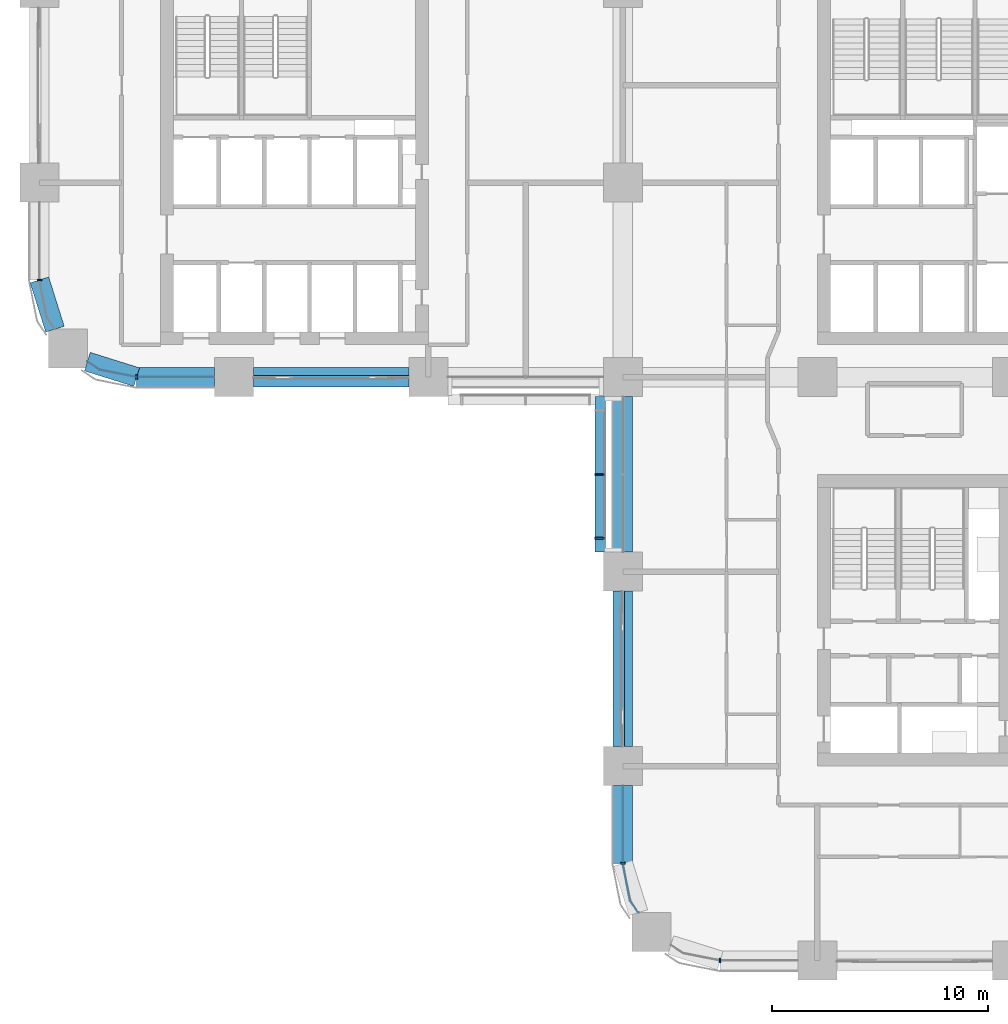
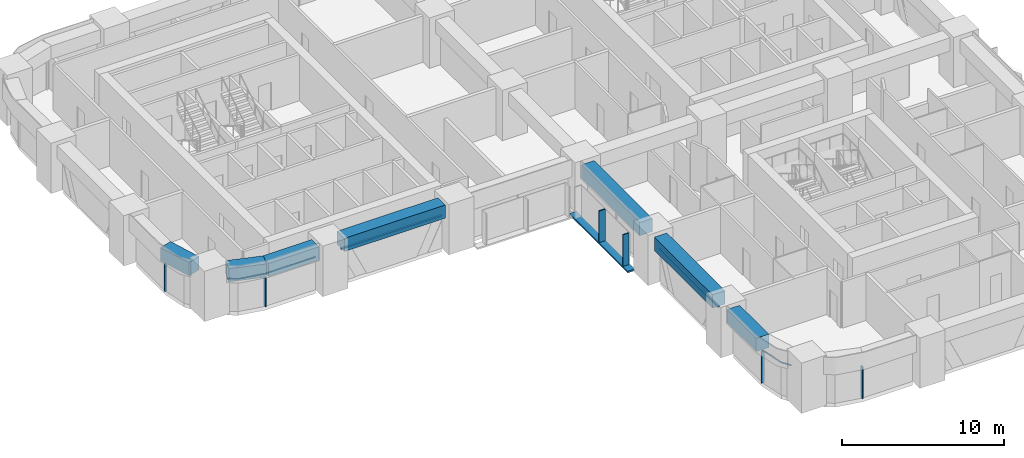
# One storey, part 2 of 18: 10 members, 8 beams, 6 elements without a shape of their own.
"""IFC4 building model written with IfcOpenShell, lengths in metres."""

import ifcopenshell
import ifcopenshell.guid

model = None  # the IFC model being written
_history = None  # IfcOwnerHistory: only IFC2X3 demands one
_inside = {}  # id of a spatial element -> (the spatial element, [elements in it])
_under = {}  # id of a project, library or spatial element -> (it, [spatial elements below it])
_declared = {}  # id of a project -> (the project, [libraries it declares])
_typed = {}  # id of a type object -> (the type object, [elements of that type])
_made_of = {}  # id of a material, layer set ... -> (it, [elements and type objects made of it])


def new_model(schema):
    """Start an empty IFC model of exactly this schema.

    Asked for "IFC4X3", IfcOpenShell would pick the latest addendum, in which some entities
    have other attributes; the version numbers below select the first issue.
    IFC2X3 requires an IfcOwnerHistory on every rooted entity: one is made here for all.
    """
    global model, _history
    if schema == "IFC4X3":
        model = ifcopenshell.file(schema_version=(4, 3, 0, 0))
    else:
        model = ifcopenshell.file(schema=schema)
    _inside.clear()
    _under.clear()
    _declared.clear()
    _typed.clear()
    _made_of.clear()
    _history = None
    if model.schema == "IFC2X3":
        org = make("IfcOrganization", Name="unknown")
        user = make(
            "IfcPersonAndOrganization",
            ThePerson=make("IfcPerson", FamilyName="unknown"),
            TheOrganization=org,
        )
        app = make(
            "IfcApplication",
            ApplicationDeveloper=org,
            Version="unknown",
            ApplicationFullName="unknown",
            ApplicationIdentifier="unknown",
        )
        _history = make(
            "IfcOwnerHistory",
            OwningUser=user,
            OwningApplication=app,
            ChangeAction="ADDED",
            CreationDate=0,
        )
    return model


def make(cls, **values):
    """One entity of the class cls with the attributes given. An attribute that is None is left unset."""
    return model.create_entity(
        cls, **{name: value for name, value in values.items() if value is not None}
    )


def rooted(cls, **values):
    """An entity with a GlobalId (a new one), such as an element, a storey or a relation."""
    return make(cls, GlobalId=ifcopenshell.guid.new(), OwnerHistory=_history, **values)


def si_unit(unit_type, name, prefix=None):
    """IfcSIUnit, for example si_unit("LENGTHUNIT", "METRE", prefix="MILLI")."""
    return make("IfcSIUnit", UnitType=unit_type, Prefix=prefix, Name=name)


def assignment(units):
    """IfcUnitAssignment: the units of a project."""
    return None if units is None else make("IfcUnitAssignment", Units=units)


def point(xyz):
    """IfcCartesianPoint."""
    return None if xyz is None else make("IfcCartesianPoint", Coordinates=xyz)


def direction(xyz):
    """IfcDirection."""
    return None if xyz is None else make("IfcDirection", DirectionRatios=xyz)


def frame(location, z_axis=None, x_axis=None):
    """IfcAxis2Placement3D, a coordinate frame: its origin and axes. An axis left out is left unset."""
    return make(
        "IfcAxis2Placement3D",
        Location=point(location),
        Axis=direction(z_axis),
        RefDirection=direction(x_axis),
    )


def frame_2d(location, x_axis=None):
    """IfcAxis2Placement2D, a coordinate frame in the plane: its origin and x axis."""
    return make(
        "IfcAxis2Placement2D", Location=point(location), RefDirection=direction(x_axis)
    )


def origin():
    """The frame at (0, 0, 0) with its axes left unset."""
    return frame((0.0, 0.0, 0.0))


def origin_2d():
    """The frame at (0, 0) in the plane with its x axis left unset."""
    return frame_2d((0.0, 0.0))


def place(relative_to, where):
    """IfcLocalPlacement: puts the frame where relative to a parent placement (None: the world)."""
    return make(
        "IfcLocalPlacement", PlacementRelTo=relative_to, RelativePlacement=where
    )


def context(
    kind, dimensions, precision=None, world=None, true_north=None, identifier=None
):
    """IfcGeometricRepresentationContext, for example the 3D "Model" context."""
    return make(
        "IfcGeometricRepresentationContext",
        ContextIdentifier=identifier,
        ContextType=kind,
        CoordinateSpaceDimension=dimensions,
        Precision=precision,
        WorldCoordinateSystem=world,
        TrueNorth=true_north,
    )


def subcontext(parent, identifier, kind, view, scale=None):
    """IfcGeometricRepresentationSubContext, for example "Body" below "Model"."""
    return make(
        "IfcGeometricRepresentationSubContext",
        ContextIdentifier=identifier,
        ContextType=kind,
        ParentContext=parent,
        TargetScale=scale,
        TargetView=view,
    )


def project(units=None, contexts=None):
    """IfcProject with its units and contexts."""
    return rooted(
        "IfcProject",
        Name="project",
        RepresentationContexts=contexts,
        UnitsInContext=assignment(units),
    )


def spatial(cls, under=None, at=None, **own):
    """A site, building, storey or space (cls), placed at a placement, below another one or the project."""
    s = rooted(cls, ObjectPlacement=at, **own)
    if under is not None:
        _under.setdefault(under.id(), (under, []))[1].append(s)
    return s


def polyline(points):
    """IfcPolyline through the points."""
    return make("IfcPolyline", Points=[point(p) for p in points])


def profile(cls, at=None, kind="AREA", **sizes):
    """A parametric profile (cls). Its sizes go by their IFC names, for example OverallWidth=200.0."""
    return make(cls, ProfileType=kind, Position=at, **sizes)


def rectangle(**sizes):
    """IfcRectangleProfileDef."""
    return profile("IfcRectangleProfileDef", **sizes)


def outline(outer, holes=None, kind="AREA"):
    """IfcArbitraryClosedProfileDef: a profile drawn as a closed curve; with holes, ...WithVoids."""
    if holes is None:
        return make("IfcArbitraryClosedProfileDef", ProfileType=kind, OuterCurve=outer)
    return make(
        "IfcArbitraryProfileDefWithVoids",
        ProfileType=kind,
        OuterCurve=outer,
        InnerCurves=holes,
    )


def extrude(swept, where, along, depth):
    """IfcExtrudedAreaSolid: the profile swept, set in the frame where, extruded along a direction by depth."""
    return make(
        "IfcExtrudedAreaSolid",
        SweptArea=swept,
        Position=where,
        ExtrudedDirection=direction(along),
        Depth=depth,
    )


def shape(context_of_items, identifier, shape_type, items):
    """IfcShapeRepresentation: the items that make up one representation, for example the "Body"."""
    return make(
        "IfcShapeRepresentation",
        ContextOfItems=context_of_items,
        RepresentationIdentifier=identifier,
        RepresentationType=shape_type,
        Items=items,
    )


def material(Name=None, Category=None):
    """IfcMaterial."""
    return make("IfcMaterial", Name=Name, Category=Category)


def material_profile(
    of_material, cross_section, Name=None, Category=None, Priority=None
):
    """IfcMaterialProfile: a cross section and its material."""
    return make(
        "IfcMaterialProfile",
        Name=Name,
        Material=of_material,
        Profile=cross_section,
        Priority=Priority,
        Category=Category,
    )


def profile_set(profiles, Name=None, composite=None):
    """IfcMaterialProfileSet."""
    return make(
        "IfcMaterialProfileSet",
        Name=Name,
        MaterialProfiles=profiles,
        CompositeProfile=composite,
    )


def made_of(thing, what):
    """Note that an element or type object is made of a material, layer set ...; save() writes the relation."""
    if what is not None:
        _made_of.setdefault(what.id(), (what, []))[1].append(thing)
    return thing


def type_object(cls, material=None, **own):
    """A type object (cls), such as IfcWallType, which elements share."""
    return made_of(rooted(cls, **own), material)


def element(
    cls,
    number,
    at=None,
    inside=None,
    cuts=None,
    type_object=None,
    material=None,
    context=None,
    identifier="Body",
    shape_type=None,
    held_by="IfcProductDefinitionShape",
    body=None,
    shapes=None,
    **own,
):
    """One element of the class cls, such as IfcWall. Its Tag is "e" and its number.

    at: its placement. inside: the storey or other place that contains it. cuts: it is an
    opening in that element (IfcRelVoidsElement). A single representation is given by context,
    identifier, shape_type and body (its items); several are given by shapes. held_by: the class
    of the entity that holds the representations. save() writes the other relations.
    """
    e = rooted(cls, Tag="e%d" % number, ObjectPlacement=at, **own)
    if body is not None:
        shapes = [shape(context, identifier, shape_type, body)]
    if shapes is not None:
        e.Representation = make(held_by, Representations=shapes)
    if inside is not None:
        _inside.setdefault(inside.id(), (inside, []))[1].append(e)
    if cuts is not None:
        rooted(
            "IfcRelVoidsElement", RelatingBuildingElement=cuts, RelatedOpeningElement=e
        )
    if type_object is not None:
        _typed.setdefault(type_object.id(), (type_object, []))[1].append(e)
    return made_of(e, material)


def aggregate(whole, parts):
    """IfcRelAggregates: a whole, such as a stair, and the parts it consists of."""
    return rooted("IfcRelAggregates", RelatingObject=whole, RelatedObjects=parts)


def save(model, path):
    """Write the relations noted so far, then the file.

    IfcRelAggregates (storeys below a building ...), IfcRelContainedInSpatialStructure (elements
    in a storey), IfcRelDefinesByType, IfcRelAssociatesMaterial and IfcRelDeclares: one each for
    every whole, place, type object, material and project.
    """
    for whole, parts in _under.values():
        aggregate(whole, parts)
    for where, things in _inside.values():
        rooted(
            "IfcRelContainedInSpatialStructure",
            RelatedElements=things,
            RelatingStructure=where,
        )
    for kind, things in _typed.values():
        rooted("IfcRelDefinesByType", RelatedObjects=things, RelatingType=kind)
    for what, things in _made_of.values():
        rooted("IfcRelAssociatesMaterial", RelatedObjects=things, RelatingMaterial=what)
    for by, libraries in _declared.values():
        rooted("IfcRelDeclares", RelatingContext=by, RelatedDefinitions=libraries)
    model.write(path)


model = new_model("IFC4")

# Units and contexts
model_context = context("Model", 3, precision=1e-05, world=origin(), true_north=direction((0.0, 1.0)))
body_context = subcontext(model_context, "Body", "Model", "MODEL_VIEW")
ifc_project = project(units=[si_unit("LENGTHUNIT", "METRE"), si_unit("AREAUNIT", "SQUARE_METRE"), si_unit("VOLUMEUNIT", "CUBIC_METRE"), si_unit("PLANEANGLEUNIT", "RADIAN"), si_unit("MASSUNIT", "GRAM", prefix="KILO")], contexts=[model_context])

# Site, building, storey
site_placement = place(None, origin())
site = spatial("IfcSite", under=ifc_project, at=site_placement, CompositionType="ELEMENT")
building_placement = place(site_placement, origin())
building = spatial("IfcBuilding", under=site, at=building_placement, Name="Tessera Arch", CompositionType="ELEMENT")
storey_placement = place(building_placement, frame((0.0, 0.0, 104.39990234375)))
storey = spatial("IfcBuildingStorey", under=building, at=storey_placement, Name="L24", CompositionType="ELEMENT", Elevation=104.39990234375)

# Curtain wall, member
ifc_material_1 = material(Name="CW2 curtain wall")
curtain_wall_type_1 = type_object("IfcCurtainWallType", Name="CW2 curtain wall", PredefinedType="NOTDEFINED", material=ifc_material_1)
curtain_wall_1_placement = place(storey_placement, origin())
curtain_wall_1 = element("IfcCurtainWall", 1, at=curtain_wall_1_placement, inside=storey, type_object=curtain_wall_type_1, Name="CW2 curtain wall W0.27/2 L24", PredefinedType="NOTDEFINED")
ifc_material_2 = material(Name="Anodised aluminium pale metal", Category="aluminium")
ifc_material_profile_1 = material_profile(ifc_material_2, rectangle(XDim=0.199951171875, YDim=0.080078125, at=origin_2d()), Name="AL 80x200")
ifc_profile_set_1 = profile_set([ifc_material_profile_1], Name="Anodised aluminium pale metal")
member_type_1 = type_object("IfcMemberType", Name="CW2 mullion", PredefinedType="MULLION", material=ifc_profile_set_1)
member_1_placement = place(storey_placement, frame((0.0, 31.5, 0.0), z_axis=(0.0, 0.0, 1.0), x_axis=(1.0, 0.0, 0.0)))
member_1 = element("IfcMember", 2, at=member_1_placement, type_object=member_type_1, Name="CW2 mullion W0.27/2 1", PredefinedType="MULLION", context=body_context, shape_type="SweptSolid", body=[
    extrude(rectangle(XDim=0.199951171875, YDim=0.080078125, at=origin_2d()), origin(), (0.0, 0.0, 1.0), 2.400146484375),
])
aggregate(curtain_wall_1, [member_1])

curtain_wall_2_placement = place(storey_placement, origin())
curtain_wall_2 = element("IfcCurtainWall", 3, at=curtain_wall_2_placement, inside=storey, type_object=curtain_wall_type_1, Name="CW2 curtain wall S27.0/0 L24", PredefinedType="NOTDEFINED")
member_2_placement = place(storey_placement, frame((4.5, 27.0, 0.0), z_axis=(0.0, 0.0, 1.0), x_axis=(0.0, 1.0, 0.0)))
member_2 = element("IfcMember", 4, at=member_2_placement, type_object=member_type_1, Name="CW2 mullion S27.0/0 1", PredefinedType="MULLION", context=body_context, shape_type="SweptSolid", body=[
    extrude(rectangle(XDim=0.199951171875, YDim=0.080078125, at=origin_2d()), origin(), (0.0, 0.0, 1.0), 2.400146484375),
])

curtain_wall_3_placement = place(storey_placement, origin())
curtain_wall_3 = element("IfcCurtainWall", 5, at=curtain_wall_3_placement, inside=storey, type_object=curtain_wall_type_1, Name="CW2 curtain wall W27.0/2 L24", PredefinedType="NOTDEFINED")
member_3_placement = place(storey_placement, frame((27.0, 4.5, 0.0), z_axis=(0.0, 0.0, 1.0), x_axis=(1.0, 0.0, 0.0)))
member_3 = element("IfcMember", 6, at=member_3_placement, type_object=member_type_1, Name="CW2 mullion W27.0/2 1", PredefinedType="MULLION", context=body_context, shape_type="SweptSolid", body=[
    extrude(rectangle(XDim=0.199951171875, YDim=0.080078125, at=origin_2d()), origin(), (0.0, 0.0, 1.0), 2.400146484375),
])

curtain_wall_4_placement = place(storey_placement, origin())
curtain_wall_4 = element("IfcCurtainWall", 7, at=curtain_wall_4_placement, inside=storey, type_object=curtain_wall_type_1, Name="CW2 curtain wall S0.27/0 L24", PredefinedType="NOTDEFINED")
member_4_placement = place(storey_placement, frame((31.5, 0.0, 0.0), z_axis=(0.0, 0.0, 1.0), x_axis=(0.0, 1.0, 0.0)))
member_4 = element("IfcMember", 8, at=member_4_placement, type_object=member_type_1, Name="CW2 mullion S0.27/0 1", PredefinedType="MULLION", context=body_context, shape_type="SweptSolid", body=[
    extrude(rectangle(XDim=0.199951171875, YDim=0.080078125, at=origin_2d()), origin(), (0.0, 0.0, 1.0), 2.400146484375),
])
aggregate(curtain_wall_4, [member_4])

# Member
ifc_material_3 = material(Name="Anodised aluminium pale metal", Category="aluminium")
ifc_material_profile_2 = material_profile(ifc_material_3, rectangle(XDim=0.199951171875, YDim=0.10009765625, at=origin_2d()), Name="AL 200x100")
ifc_profile_set_2 = profile_set([ifc_material_profile_2], Name="Anodised aluminium pale metal")
member_type_2 = type_object("IfcMemberType", Name="CW2 transom", PredefinedType="USERDEFINED", material=ifc_profile_set_2)
member_5_placement = place(storey_placement, frame((0.0, 0.0, 2.400146484375)))
member_5 = element("IfcMember", 9, at=member_5_placement, type_object=member_type_2, Name="CW2 transom S27.0/0 1", ObjectType="TRANSOM", PredefinedType="USERDEFINED", context=body_context, shape_type="SweptSolid", body=[
    extrude(outline(polyline([(2.78173828125, 27.351806640625), (2.2236328125, 27.72509765625), (2.21240234375, 27.70849609375), (2.77392578125, 27.3330078125), (4.4990234375, 26.989990234375), (8.10009765625, 26.989990234375), (8.10009765625, 27.010009765625), (4.5009765625, 27.010009765625), (2.78173828125, 27.351806640625)])), origin(), (0.0, 0.0, 1.0), 0.099853515625),
])

aggregate(curtain_wall_2, [member_2, member_5])

member_6_placement = place(storey_placement, frame((0.0, 0.0, 2.400146484375)))
member_6 = element("IfcMember", 10, at=member_6_placement, type_object=member_type_2, Name="CW2 transom W27.0/2 1", ObjectType="TRANSOM", PredefinedType="USERDEFINED", context=body_context, shape_type="SweptSolid", body=[
    extrude(outline(polyline([(27.010009765625, 4.5009765625), (27.010009765625, 8.10009765625), (26.989990234375, 8.10009765625), (26.989990234375, 4.4990234375), (27.3330078125, 2.77392578125), (27.70849609375, 2.21240234375), (27.72509765625, 2.2236328125), (27.351806640625, 2.78173828125), (27.010009765625, 4.5009765625)])), origin(), (0.0, 0.0, 1.0), 0.099853515625),
])

aggregate(curtain_wall_3, [member_3, member_6])

# Curtain wall, member
ifc_material_4 = material(Name="CW3 curtain wall")
curtain_wall_type_2 = type_object("IfcCurtainWallType", Name="CW3 curtain wall", PredefinedType="NOTDEFINED", material=ifc_material_4)
curtain_wall_5_placement = place(storey_placement, origin())
curtain_wall_5 = element("IfcCurtainWall", 11, at=curtain_wall_5_placement, inside=storey, type_object=curtain_wall_type_2, Name="CW3 curtain wall S27.0/1 L24", PredefinedType="NOTDEFINED")
ifc_material_5 = material(Name="Anodised aluminium pale metal", Category="aluminium")
ifc_material_profile_3 = material_profile(ifc_material_5, rectangle(XDim=0.139892578125, YDim=0.10009765625, at=origin_2d()), Name="AL 140x100")
ifc_profile_set_3 = profile_set([ifc_material_profile_3], Name="Anodised aluminium pale metal")
member_type_3 = type_object("IfcMemberType", Name="CW3 transom", PredefinedType="USERDEFINED", material=ifc_profile_set_3)
member_7_placement = place(storey_placement, frame((9.89990234375, 27.0, 2.4501953125), z_axis=(1.0, 0.0, 0.0), x_axis=(0.0, 1.0, 0.0)))
member_7 = element("IfcMember", 12, at=member_7_placement, type_object=member_type_3, Name="CW3 transom S27.0/1 1.1", ObjectType="TRANSOM", PredefinedType="USERDEFINED", context=body_context, shape_type="SweptSolid", body=[
    extrude(rectangle(XDim=0.139892578125, YDim=0.10009765625, at=origin_2d()), origin(), (0.0, 0.0, 1.0), 7.2001953125),
])
aggregate(curtain_wall_5, [member_7])

curtain_wall_6_placement = place(storey_placement, origin())
curtain_wall_6 = element("IfcCurtainWall", 13, at=curtain_wall_6_placement, inside=storey, type_object=curtain_wall_type_2, Name="CW3 curtain wall W27.0/1 L24", PredefinedType="NOTDEFINED")
member_8_placement = place(storey_placement, frame((27.0, 17.10009765625, 2.4501953125), z_axis=(0.0, -1.0, 0.0), x_axis=(1.0, 0.0, 0.0)))
member_8 = element("IfcMember", 14, at=member_8_placement, type_object=member_type_3, Name="CW3 transom W27.0/1 1.1", ObjectType="TRANSOM", PredefinedType="USERDEFINED", context=body_context, shape_type="SweptSolid", body=[
    extrude(rectangle(XDim=0.139892578125, YDim=0.10009765625, at=origin_2d()), origin(), (0.0, 0.0, 1.0), 7.2001953125),
])
aggregate(curtain_wall_6, [member_8])

# Members
ifc_material_6 = material(Name="Anodised aluminium pale metal", Category="aluminium")
ifc_material_profile_4 = material_profile(ifc_material_6, rectangle(XDim=0.449951171875, YDim=0.080078125, at=origin_2d()), Name="AL 80x450")
ifc_profile_set_4 = profile_set([ifc_material_profile_4], Name="Anodised aluminium pale metal")
member_type_4 = type_object("IfcMemberType", Name="Mashrabiya fin", PredefinedType="USERDEFINED", material=ifc_profile_set_4)
for number, where, z_axis, x_axis, name in (
    (15, (25.925048828125, 22.5, 0.1201171875), (0.0, 0.0, 1.0), (-1.0, 0.0, 0.0), "FIN mashrabiya W27.0/0 2"),
    (16, (25.925048828125, 19.5400390625, 0.1201171875), (0.0, 0.0, 1.0), (-1.0, 0.0, 0.0), "FIN mashrabiya W27.0/0 3"),
):
    element("IfcMember", number, at=place(storey_placement, frame(where, z_axis=z_axis, x_axis=x_axis)), inside=storey, type_object=member_type_4, Name=name, ObjectType="FIN", PredefinedType="USERDEFINED", context=body_context, shape_type="SweptSolid", body=[
        extrude(rectangle(XDim=0.449951171875, YDim=0.080078125, at=origin_2d()), origin(), (0.0, 0.0, 1.0), 2.3798828125),
    ])

# Beams
ifc_material_7 = material(Name="Concrete C80/95", Category="concrete")
ifc_material_profile_5 = material_profile(ifc_material_7, rectangle(XDim=0.89990234375, YDim=1.0, at=origin_2d()), Name="RC spandrel beam 900 x 1000 Concrete C80/95")
ifc_profile_set_5 = profile_set([ifc_material_profile_5], Name="Concrete C80/95")
beam_type_1 = type_object("IfcBeamType", Name="RC spandrel beam 900 x 1000 Concrete C80/95", PredefinedType="BEAM", material=ifc_profile_set_5)
for number, where, z_axis, x_axis, name in (
    (17, (0.0, 31.5, 3.0), (0.299675309057, -0.954041251279, 0.0), (0.954041251279, 0.299675309057, 0.0), "Spandrel beam L24 W0.27/2.2"),
    (18, (2.218017578125, 27.716796875, 3.0), (0.954041251279, -0.299675309057, 0.0), (0.299675309057, 0.954041251279, 0.0), "Spandrel beam L24 S27.0/0.1"),
):
    element("IfcBeam", number, at=place(storey_placement, frame(where, z_axis=z_axis, x_axis=x_axis)), inside=storey, type_object=beam_type_1, Name=name, PredefinedType="BEAM", context=body_context, shape_type="SweptSolid", body=[
        extrude(rectangle(XDim=0.89990234375, YDim=1.0, at=origin_2d()), origin(), (0.0, 0.0, 1.0), 2.391845703125),
    ])
beam_1_placement = place(storey_placement, frame((4.5, 27.0, 3.0), z_axis=(1.0, 0.0, 0.0), x_axis=(0.0, 1.0, 0.0)))
element("IfcBeam", 19, at=beam_1_placement, inside=storey, type_object=beam_type_1, Name="Spandrel beam L24 S27.0/0.2", PredefinedType="BEAM", context=body_context, shape_type="SweptSolid", body=[
    extrude(rectangle(XDim=0.89990234375, YDim=1.0, at=origin_2d()), origin(), (0.0, 0.0, 1.0), 3.60009765625),
])
for number, where, z_axis, x_axis, name in (
    (20, (9.89990234375, 27.0, 3.0), (1.0, 0.0, 0.0), (0.0, 1.0, 0.0), "Spandrel beam L24 S27.0/1"),
    (21, (27.0, 26.10009765625, 3.0), (0.0, -1.0, 0.0), (1.0, 0.0, 0.0), "Spandrel beam L24 W27.0/0"),
    (22, (27.0, 17.10009765625, 3.0), (0.0, -1.0, 0.0), (1.0, 0.0, 0.0), "Spandrel beam L24 W27.0/1"),
):
    element("IfcBeam", number, at=place(storey_placement, frame(where, z_axis=z_axis, x_axis=x_axis)), inside=storey, type_object=beam_type_1, Name=name, PredefinedType="BEAM", context=body_context, shape_type="SweptSolid", body=[
        extrude(rectangle(XDim=0.89990234375, YDim=1.0, at=origin_2d()), origin(), (0.0, 0.0, 1.0), 7.2001953125),
    ])
beam_2_placement = place(storey_placement, frame((27.0, 8.10009765625, 3.0), z_axis=(0.0, -1.0, 0.0), x_axis=(1.0, 0.0, 0.0)))
element("IfcBeam", 23, at=beam_2_placement, inside=storey, type_object=beam_type_1, Name="Spandrel beam L24 W27.0/2.1", PredefinedType="BEAM", context=body_context, shape_type="SweptSolid", body=[
    extrude(rectangle(XDim=0.89990234375, YDim=1.0, at=origin_2d()), origin(), (0.0, 0.0, 1.0), 3.60009765625),
])
ifc_material_8 = material(Name="Aluminium alloy 6063-T6", Category="aluminium")
ifc_material_profile_6 = material_profile(ifc_material_8, rectangle(XDim=0.489990234375, YDim=0.1201171875, at=origin_2d()), Name="AL 490x120")
ifc_profile_set_6 = profile_set([ifc_material_profile_6], Name="Aluminium alloy 6063-T6")
beam_type_2 = type_object("IfcBeamType", Name="Screen sill beam", PredefinedType="BEAM", material=ifc_profile_set_6)
beam_3_placement = place(storey_placement, frame((25.945068359375, 26.10009765625, 0.06005859375), z_axis=(0.0, -1.0, 0.0), x_axis=(1.0, 0.0, 0.0)))
element("IfcBeam", 24, at=beam_3_placement, inside=storey, type_object=beam_type_2, Name="Screen sill beam", PredefinedType="BEAM", context=body_context, shape_type="SweptSolid", body=[
    extrude(rectangle(XDim=0.489990234375, YDim=0.1201171875, at=origin_2d()), origin(), (0.0, 0.0, 1.0), 7.2001953125),
])

save(model, "model.ifc")
